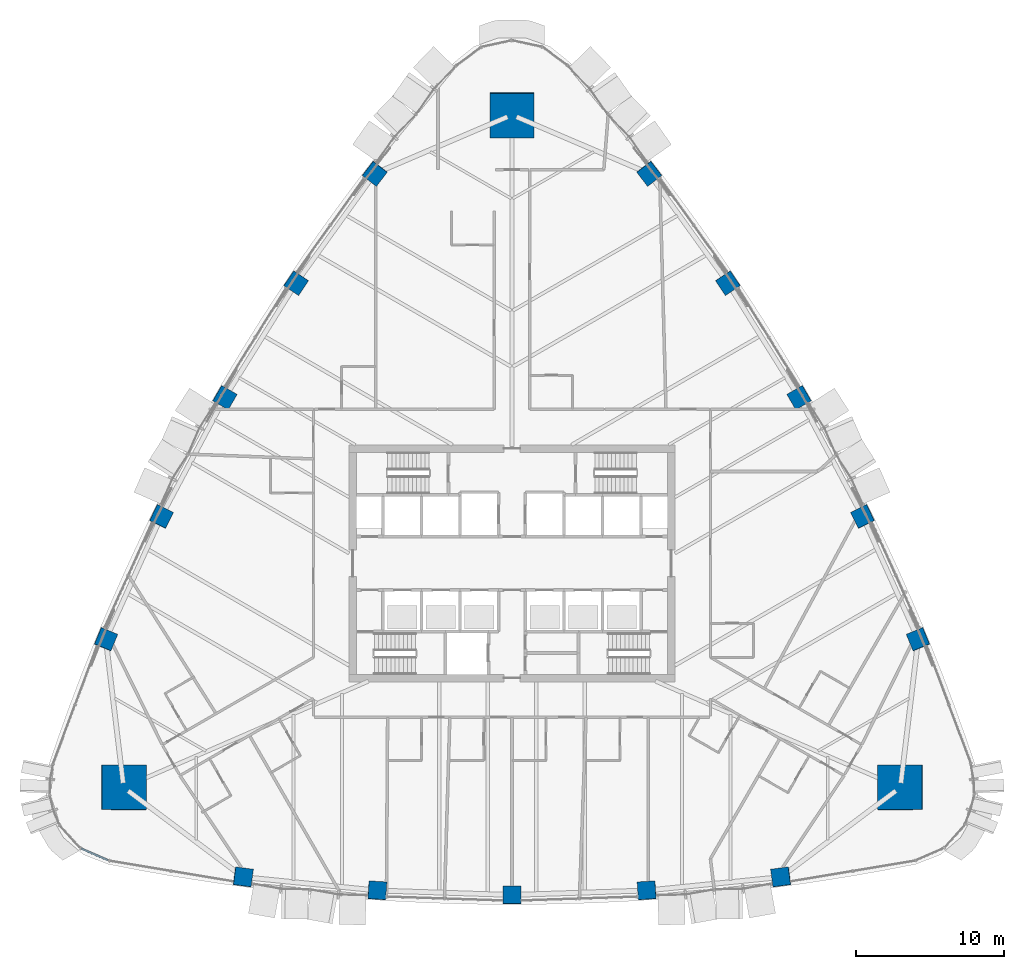
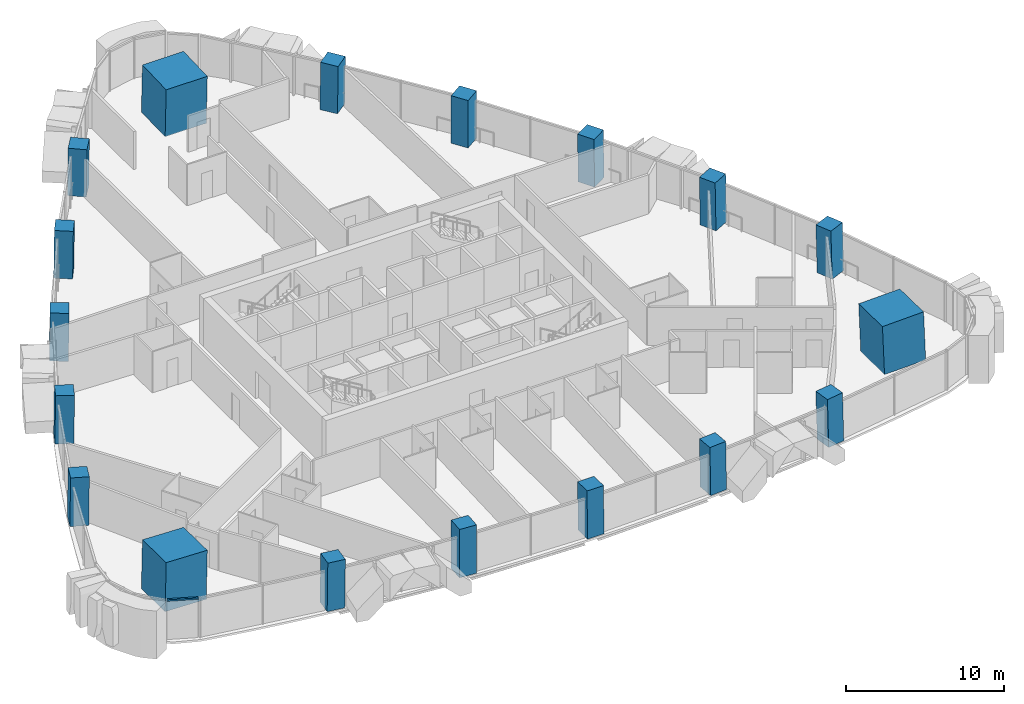
# One storey, part 1 of 18: 18 columns, 1 member, 1 element without a shape of its own.
"""IFC4 building model written with IfcOpenShell, lengths in metres."""

import ifcopenshell
import ifcopenshell.guid

model = None  # the IFC model being written
_history = None  # IfcOwnerHistory: only IFC2X3 demands one
_inside = {}  # id of a spatial element -> (the spatial element, [elements in it])
_under = {}  # id of a project, library or spatial element -> (it, [spatial elements below it])
_declared = {}  # id of a project -> (the project, [libraries it declares])
_typed = {}  # id of a type object -> (the type object, [elements of that type])
_made_of = {}  # id of a material, layer set ... -> (it, [elements and type objects made of it])


def new_model(schema):
    """Start an empty IFC model of exactly this schema.

    Asked for "IFC4X3", IfcOpenShell would pick the latest addendum, in which some entities
    have other attributes; the version numbers below select the first issue.
    IFC2X3 requires an IfcOwnerHistory on every rooted entity: one is made here for all.
    """
    global model, _history
    if schema == "IFC4X3":
        model = ifcopenshell.file(schema_version=(4, 3, 0, 0))
    else:
        model = ifcopenshell.file(schema=schema)
    _inside.clear()
    _under.clear()
    _declared.clear()
    _typed.clear()
    _made_of.clear()
    _history = None
    if model.schema == "IFC2X3":
        org = make("IfcOrganization", Name="unknown")
        user = make(
            "IfcPersonAndOrganization",
            ThePerson=make("IfcPerson", FamilyName="unknown"),
            TheOrganization=org,
        )
        app = make(
            "IfcApplication",
            ApplicationDeveloper=org,
            Version="unknown",
            ApplicationFullName="unknown",
            ApplicationIdentifier="unknown",
        )
        _history = make(
            "IfcOwnerHistory",
            OwningUser=user,
            OwningApplication=app,
            ChangeAction="ADDED",
            CreationDate=0,
        )
    return model


def make(cls, **values):
    """One entity of the class cls with the attributes given. An attribute that is None is left unset."""
    return model.create_entity(
        cls, **{name: value for name, value in values.items() if value is not None}
    )


def rooted(cls, **values):
    """An entity with a GlobalId (a new one), such as an element, a storey or a relation."""
    return make(cls, GlobalId=ifcopenshell.guid.new(), OwnerHistory=_history, **values)


def si_unit(unit_type, name, prefix=None):
    """IfcSIUnit, for example si_unit("LENGTHUNIT", "METRE", prefix="MILLI")."""
    return make("IfcSIUnit", UnitType=unit_type, Prefix=prefix, Name=name)


def assignment(units):
    """IfcUnitAssignment: the units of a project."""
    return None if units is None else make("IfcUnitAssignment", Units=units)


def point(xyz):
    """IfcCartesianPoint."""
    return None if xyz is None else make("IfcCartesianPoint", Coordinates=xyz)


def direction(xyz):
    """IfcDirection."""
    return None if xyz is None else make("IfcDirection", DirectionRatios=xyz)


def frame(location, z_axis=None, x_axis=None):
    """IfcAxis2Placement3D, a coordinate frame: its origin and axes. An axis left out is left unset."""
    return make(
        "IfcAxis2Placement3D",
        Location=point(location),
        Axis=direction(z_axis),
        RefDirection=direction(x_axis),
    )


def frame_2d(location, x_axis=None):
    """IfcAxis2Placement2D, a coordinate frame in the plane: its origin and x axis."""
    return make(
        "IfcAxis2Placement2D", Location=point(location), RefDirection=direction(x_axis)
    )


def origin():
    """The frame at (0, 0, 0) with its axes left unset."""
    return frame((0.0, 0.0, 0.0))


def origin_2d():
    """The frame at (0, 0) in the plane with its x axis left unset."""
    return frame_2d((0.0, 0.0))


def place(relative_to, where):
    """IfcLocalPlacement: puts the frame where relative to a parent placement (None: the world)."""
    return make(
        "IfcLocalPlacement", PlacementRelTo=relative_to, RelativePlacement=where
    )


def context(
    kind, dimensions, precision=None, world=None, true_north=None, identifier=None
):
    """IfcGeometricRepresentationContext, for example the 3D "Model" context."""
    return make(
        "IfcGeometricRepresentationContext",
        ContextIdentifier=identifier,
        ContextType=kind,
        CoordinateSpaceDimension=dimensions,
        Precision=precision,
        WorldCoordinateSystem=world,
        TrueNorth=true_north,
    )


def subcontext(parent, identifier, kind, view, scale=None):
    """IfcGeometricRepresentationSubContext, for example "Body" below "Model"."""
    return make(
        "IfcGeometricRepresentationSubContext",
        ContextIdentifier=identifier,
        ContextType=kind,
        ParentContext=parent,
        TargetScale=scale,
        TargetView=view,
    )


def project(units=None, contexts=None):
    """IfcProject with its units and contexts."""
    return rooted(
        "IfcProject",
        Name="project",
        RepresentationContexts=contexts,
        UnitsInContext=assignment(units),
    )


def spatial(cls, under=None, at=None, **own):
    """A site, building, storey or space (cls), placed at a placement, below another one or the project."""
    s = rooted(cls, ObjectPlacement=at, **own)
    if under is not None:
        _under.setdefault(under.id(), (under, []))[1].append(s)
    return s


def profile(cls, at=None, kind="AREA", **sizes):
    """A parametric profile (cls). Its sizes go by their IFC names, for example OverallWidth=200.0."""
    return make(cls, ProfileType=kind, Position=at, **sizes)


def rectangle(**sizes):
    """IfcRectangleProfileDef."""
    return profile("IfcRectangleProfileDef", **sizes)


def extrude(swept, where, along, depth):
    """IfcExtrudedAreaSolid: the profile swept, set in the frame where, extruded along a direction by depth."""
    return make(
        "IfcExtrudedAreaSolid",
        SweptArea=swept,
        Position=where,
        ExtrudedDirection=direction(along),
        Depth=depth,
    )


def clip(a, b, op="DIFFERENCE"):
    """IfcBooleanClippingResult: the solid a cut by the half space b."""
    return make(
        "IfcBooleanClippingResult", Operator=op, FirstOperand=a, SecondOperand=b
    )


def halfspace(plane, agree):
    """IfcHalfSpaceSolid: all space on one side of the plane z = 0 of the frame plane."""
    return make(
        "IfcHalfSpaceSolid",
        BaseSurface=make("IfcPlane", Position=plane),
        AgreementFlag=agree,
    )


def shape(context_of_items, identifier, shape_type, items):
    """IfcShapeRepresentation: the items that make up one representation, for example the "Body"."""
    return make(
        "IfcShapeRepresentation",
        ContextOfItems=context_of_items,
        RepresentationIdentifier=identifier,
        RepresentationType=shape_type,
        Items=items,
    )


def material(Name=None, Category=None):
    """IfcMaterial."""
    return make("IfcMaterial", Name=Name, Category=Category)


def layer(
    of_material, thickness, ventilated=None, Name=None, Category=None, Priority=None
):
    """IfcMaterialLayer: one layer of a wall or slab, of a material (None: an air gap)."""
    return make(
        "IfcMaterialLayer",
        Material=of_material,
        LayerThickness=thickness,
        IsVentilated=ventilated,
        Name=Name,
        Category=Category,
        Priority=Priority,
    )


def layer_set(layers, Name=None):
    """IfcMaterialLayerSet."""
    return make("IfcMaterialLayerSet", MaterialLayers=layers, LayerSetName=Name)


def material_profile(
    of_material, cross_section, Name=None, Category=None, Priority=None
):
    """IfcMaterialProfile: a cross section and its material."""
    return make(
        "IfcMaterialProfile",
        Name=Name,
        Material=of_material,
        Profile=cross_section,
        Priority=Priority,
        Category=Category,
    )


def profile_set(profiles, Name=None, composite=None):
    """IfcMaterialProfileSet."""
    return make(
        "IfcMaterialProfileSet",
        Name=Name,
        MaterialProfiles=profiles,
        CompositeProfile=composite,
    )


def made_of(thing, what):
    """Note that an element or type object is made of a material, layer set ...; save() writes the relation."""
    if what is not None:
        _made_of.setdefault(what.id(), (what, []))[1].append(thing)
    return thing


def type_object(cls, material=None, **own):
    """A type object (cls), such as IfcWallType, which elements share."""
    return made_of(rooted(cls, **own), material)


def element(
    cls,
    number,
    at=None,
    inside=None,
    cuts=None,
    type_object=None,
    material=None,
    context=None,
    identifier="Body",
    shape_type=None,
    held_by="IfcProductDefinitionShape",
    body=None,
    shapes=None,
    **own,
):
    """One element of the class cls, such as IfcWall. Its Tag is "e" and its number.

    at: its placement. inside: the storey or other place that contains it. cuts: it is an
    opening in that element (IfcRelVoidsElement). A single representation is given by context,
    identifier, shape_type and body (its items); several are given by shapes. held_by: the class
    of the entity that holds the representations. save() writes the other relations.
    """
    e = rooted(cls, Tag="e%d" % number, ObjectPlacement=at, **own)
    if body is not None:
        shapes = [shape(context, identifier, shape_type, body)]
    if shapes is not None:
        e.Representation = make(held_by, Representations=shapes)
    if inside is not None:
        _inside.setdefault(inside.id(), (inside, []))[1].append(e)
    if cuts is not None:
        rooted(
            "IfcRelVoidsElement", RelatingBuildingElement=cuts, RelatedOpeningElement=e
        )
    if type_object is not None:
        _typed.setdefault(type_object.id(), (type_object, []))[1].append(e)
    return made_of(e, material)


def aggregate(whole, parts):
    """IfcRelAggregates: a whole, such as a stair, and the parts it consists of."""
    return rooted("IfcRelAggregates", RelatingObject=whole, RelatedObjects=parts)


def save(model, path):
    """Write the relations noted so far, then the file.

    IfcRelAggregates (storeys below a building ...), IfcRelContainedInSpatialStructure (elements
    in a storey), IfcRelDefinesByType, IfcRelAssociatesMaterial and IfcRelDeclares: one each for
    every whole, place, type object, material and project.
    """
    for whole, parts in _under.values():
        aggregate(whole, parts)
    for where, things in _inside.values():
        rooted(
            "IfcRelContainedInSpatialStructure",
            RelatedElements=things,
            RelatingStructure=where,
        )
    for kind, things in _typed.values():
        rooted("IfcRelDefinesByType", RelatedObjects=things, RelatingType=kind)
    for what, things in _made_of.values():
        rooted("IfcRelAssociatesMaterial", RelatedObjects=things, RelatingMaterial=what)
    for by, libraries in _declared.values():
        rooted("IfcRelDeclares", RelatingContext=by, RelatedDefinitions=libraries)
    model.write(path)


model = new_model("IFC4")

# Units and contexts
model_context = context("Model", 3, precision=1e-05, world=origin(), true_north=direction((0.0, 1.0)))
body_context = subcontext(model_context, "Body", "Model", "MODEL_VIEW")
ifc_project = project(units=[si_unit("LENGTHUNIT", "METRE"), si_unit("AREAUNIT", "SQUARE_METRE"), si_unit("VOLUMEUNIT", "CUBIC_METRE"), si_unit("PLANEANGLEUNIT", "RADIAN"), si_unit("MASSUNIT", "GRAM", prefix="KILO")], contexts=[model_context])

# Site, building, storey
site_placement = place(None, origin())
site = spatial("IfcSite", under=ifc_project, at=site_placement, CompositionType="ELEMENT")
building_placement = place(site_placement, origin())
building = spatial("IfcBuilding", under=site, at=building_placement, Name="Sierra Prisma Convention Tower", CompositionType="ELEMENT")
storey_placement = place(building_placement, frame((0.0, 0.0, 81.300048828125)))
storey = spatial("IfcBuildingStorey", under=building, at=storey_placement, Name="L16", CompositionType="ELEMENT", Elevation=81.300048828125)

# Columns
ifc_material_1 = material(Name="Concrete C60/75", Category="concrete")
ifc_material_profile_1 = material_profile(ifc_material_1, rectangle(XDim=3.0, YDim=3.0, at=origin_2d()), Name="Mega column RC 3000 C60/75")
ifc_profile_set_1 = profile_set([ifc_material_profile_1], Name="Concrete C60/75")
column_type_1 = type_object("IfcColumnType", Name="Mega column RC 3000 C60/75", PredefinedType="COLUMN", material=ifc_profile_set_1)
for number, where, z_axis, x_axis, name in (
    (1, (26.2236328125, -15.14013671875, 0.0), (-0.030531992032, 0.017607001884, 0.999378702468), (0.999533790055, 0.000537827582, 0.03052725469), "Mega column SE L16"),
    (2, (0.0, 30.280517578125, 0.0), (0.0, -0.035214042205, 0.999379793288), (1.0, 0.0, 0.0), "Mega column N L16"),
    (3, (-26.2236328125, -15.14013671875, 0.0), (0.030531992032, 0.017607001884, 0.999378702468), (0.999533790055, -0.000537827582, -0.03052725469), "Mega column SW L16"),
):
    element("IfcColumn", number, at=place(storey_placement, frame(where, z_axis=z_axis, x_axis=x_axis)), inside=storey, type_object=column_type_1, Name=name, PredefinedType="COLUMN", context=body_context, shape_type="SweptSolid", body=[
        extrude(rectangle(XDim=3.0, YDim=3.0, at=origin_2d()), origin(), (0.0, 0.0, 1.0), 3.7021484375),
    ])
ifc_material_2 = material(Name="Concrete C60/75", Category="concrete")
ifc_material_profile_2 = material_profile(ifc_material_2, rectangle(XDim=1.199951171875, YDim=1.199951171875, at=origin_2d()), Name="Perimeter column RC 1200 C60/75")
ifc_profile_set_2 = profile_set([ifc_material_profile_2], Name="Concrete C60/75")
column_type_2 = type_object("IfcColumnType", Name="Perimeter column RC 1200 C60/75", PredefinedType="COLUMN", material=ifc_profile_set_2)
column_1_placement = place(storey_placement, frame((-18.15966796875, -21.18701171875, 0.0), z_axis=(0.019262752912, 0.011346553085, 0.999750069809), x_axis=(-0.991035318341, 0.132436881846, 0.017591763067)))
element("IfcColumn", 4, at=column_1_placement, inside=storey, type_object=column_type_2, Name="Perimeter column S-1 L16", PredefinedType="COLUMN", context=body_context, shape_type="SweptSolid", body=[
    clip(extrude(rectangle(XDim=1.199951171875, YDim=1.199951171875, at=origin_2d()), origin(), (0.0, 0.0, 1.0), 3.700927734375), halfspace(frame((0.0, 0.0, 0.007568359375)), True)),
])
column_2_placement = place(storey_placement, frame((-9.099853515625, -22.091064453125, 0.0), z_axis=(0.009632635025, 0.012073782257, 0.999880710947), x_axis=(-0.997756100606, 0.066371190404, 0.008810720082)))
element("IfcColumn", 5, at=column_2_placement, inside=storey, type_object=column_type_2, Name="Perimeter column S-2 L16", PredefinedType="COLUMN", context=body_context, shape_type="SweptSolid", body=[
    clip(extrude(rectangle(XDim=1.199951171875, YDim=1.199951171875, at=origin_2d()), origin(), (0.0, 0.0, 1.0), 3.700439453125), halfspace(frame((0.0, 0.0, 0.00927734375)), True)),
])
column_3_placement = place(storey_placement, frame((0.0, -22.392822265625, 0.0), z_axis=(0.0, 0.012338222751, 0.999923881233), x_axis=(1.0, 0.0, 0.0)))
element("IfcColumn", 6, at=column_3_placement, inside=storey, type_object=column_type_2, Name="Perimeter column S-3 L16", PredefinedType="COLUMN", context=body_context, shape_type="SweptSolid", body=[
    clip(extrude(rectangle(XDim=1.199951171875, YDim=1.199951171875, at=origin_2d()), origin(), (0.0, 0.0, 1.0), 3.7001953125), halfspace(frame((0.0, 0.0, 0.009521484375)), True)),
])
column_4_placement = place(storey_placement, frame((9.099853515625, -22.091064453125, 0.0), z_axis=(-0.009632635025, 0.012073782257, 0.999880710947), x_axis=(0.997756100606, 0.066371190404, 0.008810720082)))
element("IfcColumn", 7, at=column_4_placement, inside=storey, type_object=column_type_2, Name="Perimeter column S-4 L16", PredefinedType="COLUMN", context=body_context, shape_type="SweptSolid", body=[
    clip(extrude(rectangle(XDim=1.199951171875, YDim=1.199951171875, at=origin_2d()), origin(), (0.0, 0.0, 1.0), 3.700439453125), halfspace(frame((0.0, 0.0, 0.00927734375)), True)),
])
column_5_placement = place(storey_placement, frame((18.15966796875, -21.18701171875, 0.0), z_axis=(-0.019262752912, 0.011346553085, 0.999750069809), x_axis=(0.991035318341, 0.132436881846, 0.017591763067)))
element("IfcColumn", 8, at=column_5_placement, inside=storey, type_object=column_type_2, Name="Perimeter column S-5 L16", PredefinedType="COLUMN", context=body_context, shape_type="SweptSolid", body=[
    clip(extrude(rectangle(XDim=1.199951171875, YDim=1.199951171875, at=origin_2d()), origin(), (0.0, 0.0, 1.0), 3.700927734375), halfspace(frame((0.0, 0.0, 0.007568359375)), True)),
])
column_6_placement = place(storey_placement, frame((27.42822265625, -5.13330078125, 0.0), z_axis=(-0.019460669214, 0.010950749456, 0.999750650632), x_axis=(-0.381024023637, 0.924398704075, -0.017542215233)))
element("IfcColumn", 9, at=column_6_placement, inside=storey, type_object=column_type_2, Name="Perimeter column NE-1 L16", PredefinedType="COLUMN", context=body_context, shape_type="SweptSolid", body=[
    extrude(rectangle(XDim=1.199951171875, YDim=1.199951171875, at=origin_2d()), origin(), (0.0, 0.0, 1.0), 3.700927734375),
])
column_7_placement = place(storey_placement, frame((23.681396484375, 3.164794921875, 0.0), z_axis=(-0.015306644787, 0.002309192102, 0.99988017995), x_axis=(-0.441466655393, 0.897234204469, -0.008830317467)))
element("IfcColumn", 10, at=column_7_placement, inside=storey, type_object=column_type_2, Name="Perimeter column NE-2 L16", PredefinedType="COLUMN", context=body_context, shape_type="SweptSolid", body=[
    extrude(rectangle(XDim=1.199951171875, YDim=1.199951171875, at=origin_2d()), origin(), (0.0, 0.0, 1.0), 3.700439453125),
])
column_8_placement = place(storey_placement, frame((19.392822265625, 11.1962890625, 0.0), z_axis=(-0.010688729499, -0.00613612249, 0.999924046647), x_axis=(-0.49997143695, 0.866041893524, -2.9922579e-05)))
element("IfcColumn", 11, at=column_8_placement, inside=storey, type_object=column_type_2, Name="Perimeter column NE-3 L16", PredefinedType="COLUMN", context=body_context, shape_type="SweptSolid", body=[
    extrude(rectangle(XDim=1.199951171875, YDim=1.199951171875, at=origin_2d()), origin(), (0.0, 0.0, 1.0), 3.7001953125),
])
column_9_placement = place(storey_placement, frame((14.58154296875, 18.92626953125, 0.0), z_axis=(-0.005674016471, -0.014382971985, 0.999880460682), x_axis=(-0.556275058009, 0.830951674334, 0.008796292314)))
element("IfcColumn", 12, at=column_9_placement, inside=storey, type_object=column_type_2, Name="Perimeter column NE-4 L16", PredefinedType="COLUMN", context=body_context, shape_type="SweptSolid", body=[
    extrude(rectangle(XDim=1.199951171875, YDim=1.199951171875, at=origin_2d()), origin(), (0.0, 0.0, 1.0), 3.700439453125),
])
for number, where, z_axis, x_axis, name in (
    (13, (9.2685546875, 26.3203125, 0.0), (-0.00019790496, -0.022363260521, 0.999749891429), (-0.610123026815, 0.792111234616, 0.0175978449), "Perimeter column NE-5 L16"),
    (14, (-9.2685546875, 26.3203125, 0.0), (0.00019790496, -0.022363260521, 0.999749891429), (0.610123026815, 0.792111234616, 0.0175978449), "Perimeter column NW-1 L16"),
):
    element("IfcColumn", number, at=place(storey_placement, frame(where, z_axis=z_axis, x_axis=x_axis)), inside=storey, type_object=column_type_2, Name=name, PredefinedType="COLUMN", context=body_context, shape_type="SweptSolid", body=[
        extrude(rectangle(XDim=1.199951171875, YDim=1.199951171875, at=origin_2d()), origin(), (0.0, 0.0, 1.0), 3.700927734375),
    ])
column_10_placement = place(storey_placement, frame((-14.58154296875, 18.92626953125, 0.0), z_axis=(0.005674016471, -0.014382971985, 0.999880460682), x_axis=(0.556275058009, 0.830951674334, 0.008796292314)))
element("IfcColumn", 15, at=column_10_placement, inside=storey, type_object=column_type_2, Name="Perimeter column NW-2 L16", PredefinedType="COLUMN", context=body_context, shape_type="SweptSolid", body=[
    extrude(rectangle(XDim=1.199951171875, YDim=1.199951171875, at=origin_2d()), origin(), (0.0, 0.0, 1.0), 3.700439453125),
])
column_11_placement = place(storey_placement, frame((-19.392822265625, 11.1962890625, 0.0), z_axis=(0.010688729499, -0.00613612249, 0.999924046647), x_axis=(0.49997143695, 0.866041893524, -2.9922579e-05)))
element("IfcColumn", 16, at=column_11_placement, inside=storey, type_object=column_type_2, Name="Perimeter column NW-3 L16", PredefinedType="COLUMN", context=body_context, shape_type="SweptSolid", body=[
    extrude(rectangle(XDim=1.199951171875, YDim=1.199951171875, at=origin_2d()), origin(), (0.0, 0.0, 1.0), 3.7001953125),
])
column_12_placement = place(storey_placement, frame((-23.681396484375, 3.164794921875, 0.0), z_axis=(0.015306644787, 0.002309192102, 0.99988017995), x_axis=(0.441466655393, 0.897234204469, -0.008830317467)))
element("IfcColumn", 17, at=column_12_placement, inside=storey, type_object=column_type_2, Name="Perimeter column NW-4 L16", PredefinedType="COLUMN", context=body_context, shape_type="SweptSolid", body=[
    extrude(rectangle(XDim=1.199951171875, YDim=1.199951171875, at=origin_2d()), origin(), (0.0, 0.0, 1.0), 3.700439453125),
])
column_13_placement = place(storey_placement, frame((-27.42822265625, -5.13330078125, 0.0), z_axis=(0.019460669214, 0.010950749456, 0.999750650632), x_axis=(0.381024023637, 0.924398704075, -0.017542215233)))
element("IfcColumn", 18, at=column_13_placement, inside=storey, type_object=column_type_2, Name="Perimeter column NW-5 L16", PredefinedType="COLUMN", context=body_context, shape_type="SweptSolid", body=[
    extrude(rectangle(XDim=1.199951171875, YDim=1.199951171875, at=origin_2d()), origin(), (0.0, 0.0, 1.0), 3.700927734375),
])

# Curtain wall, member
ifc_material_3 = material(Name="Aluminium and glass curtain wall", Category="aluminium")
ifc_layer = layer(ifc_material_3, 0.179931640625)
ifc_layer_set = layer_set([ifc_layer], Name="CW-1 Plain shaft curtain wall")
curtain_wall_type = type_object("IfcCurtainWallType", Name="CW-1 Plain shaft curtain wall", PredefinedType="NOTDEFINED", material=ifc_layer_set)
curtain_wall_placement = place(storey_placement, origin())
curtain_wall = element("IfcCurtainWall", 19, at=curtain_wall_placement, inside=storey, type_object=curtain_wall_type, Name="CW-1 SW4 L16", PredefinedType="NOTDEFINED")
ifc_material_4 = material(Name="Aluminium 6063-T6 bronze anodised", Category="aluminium")
ifc_material_profile_3 = material_profile(ifc_material_4, rectangle(XDim=0.139892578125, YDim=0.1201171875, at=origin_2d()), Name="ALU TRANSOM 120x140")
ifc_profile_set_3 = profile_set([ifc_material_profile_3], Name="Aluminium 6063-T6 bronze anodised")
member_type = type_object("IfcMemberType", Name="CW transom bronze", PredefinedType="USERDEFINED", material=ifc_profile_set_3)
member_placement = place(storey_placement, frame((-29.097900390625, -19.2578125, 3.0400390625), z_axis=(0.916761972761, -0.399433956117, 0.0), x_axis=(0.399433956117, 0.916761972761, 0.0)))
member = element("IfcMember", 20, at=member_placement, type_object=member_type, Name="CW-1 transom SW4.1", ObjectType="TRANSOM", PredefinedType="USERDEFINED", context=body_context, shape_type="SweptSolid", body=[
    extrude(rectangle(XDim=0.139892578125, YDim=0.1201171875, at=origin_2d()), origin(), (0.0, 0.0, 1.0), 1.979736328125),
])
aggregate(curtain_wall, [member])

save(model, "model.ifc")
